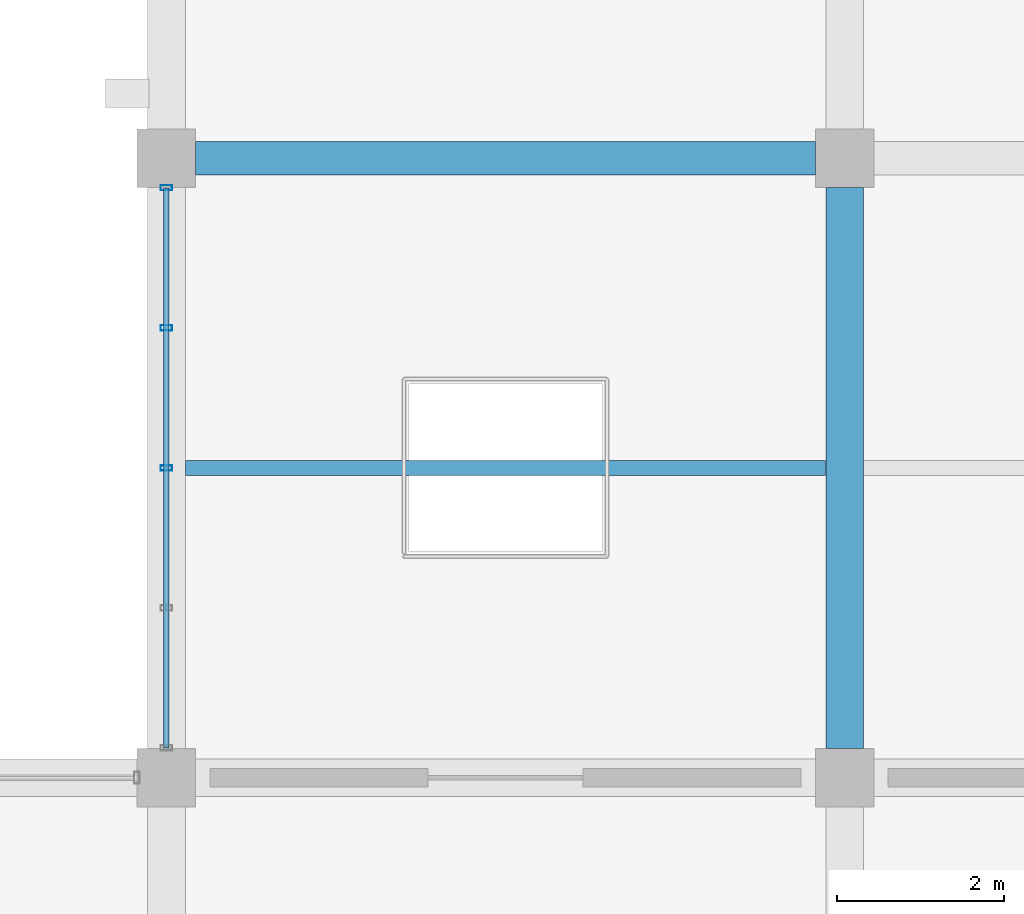
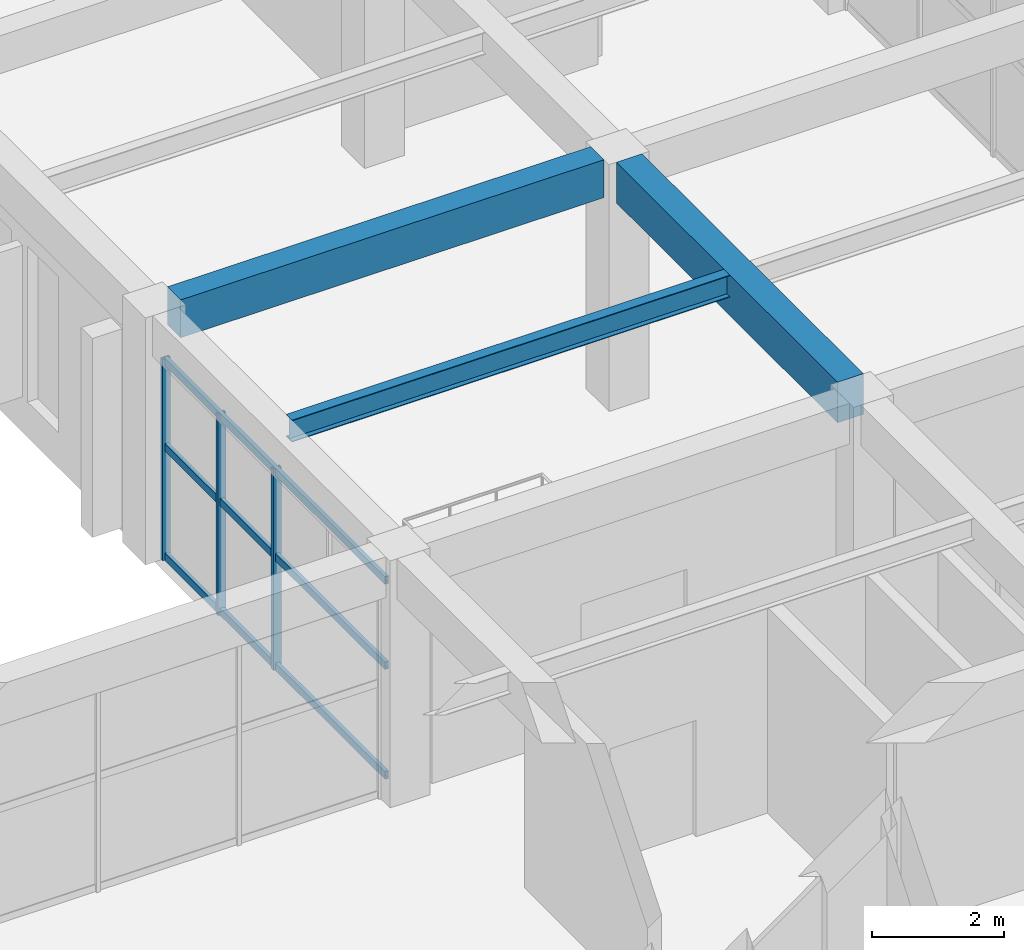
# One storey, part 20 of 161: 6 members, 3 beams, 1 element without a shape of its own.
"""IFC4 building model written with IfcOpenShell, lengths in metres."""

from ifc_helpers import new_model, si_unit, direction, frame, origin, origin_2d, place, context, subcontext, project, spatial, rectangle, hollow_rectangle, i_section, extrude, material, material_profile, profile_set, type_object, element, aggregate, save


model = new_model("IFC4")

# Units and contexts
model_context = context("Model", 3, precision=1e-05, world=origin(), true_north=direction((0.0, 1.0)))
body_context = subcontext(model_context, "Body", "Model", "MODEL_VIEW")
ifc_project = project(units=[si_unit("LENGTHUNIT", "METRE"), si_unit("AREAUNIT", "SQUARE_METRE"), si_unit("VOLUMEUNIT", "CUBIC_METRE"), si_unit("PLANEANGLEUNIT", "RADIAN"), si_unit("MASSUNIT", "GRAM", prefix="KILO")], contexts=[model_context])

# Site, building, storey
site_placement = place(None, origin())
site = spatial("IfcSite", under=ifc_project, at=site_placement, CompositionType="ELEMENT")
building_placement = place(site_placement, origin())
building = spatial("IfcBuilding", under=site, at=building_placement, Name="Cimatlan Art Gallery", CompositionType="ELEMENT")
storey_placement = place(building_placement, frame((0.0, 0.0, 5.39990234375)))
storey = spatial("IfcBuildingStorey", under=building, at=storey_placement, Name="L01", CompositionType="ELEMENT", Elevation=5.39990234375)

# Beams
ifc_material_1 = material(Name="Concrete C40/50", Category="concrete")
ifc_material_profile_1 = material_profile(ifc_material_1, rectangle(XDim=0.39990234375, YDim=0.699951171875, at=origin_2d()), Name="RC400X700")
ifc_profile_set_1 = profile_set([ifc_material_profile_1], Name="Concrete C40/50")
beam_type_1 = type_object("IfcBeamType", Name="BM-RC-400X700", PredefinedType="BEAM", material=ifc_profile_set_1)
beam_1_placement = place(storey_placement, frame((34.75, 46.10009765625, 4.210205078125), z_axis=(1.0, 0.0, 0.0), x_axis=(0.0, 1.0, 0.0)))
element("IfcBeam", 1, at=beam_1_placement, inside=storey, type_object=beam_type_1, Name="BM-X-L01-04-06", PredefinedType="BEAM", context=body_context, shape_type="SweptSolid", body=[
    extrude(rectangle(XDim=0.39990234375, YDim=0.699951171875, at=origin_2d()), origin(), (0.0, 0.0, 1.0), 7.39990234375),
])
ifc_material_profile_2 = material_profile(ifc_material_1, rectangle(XDim=0.449951171875, YDim=0.75, at=origin_2d()), Name="RC450X750")
ifc_profile_set_2 = profile_set([ifc_material_profile_2], Name="Concrete C40/50")
beam_type_2 = type_object("IfcBeamType", Name="BM-RC-450X750", PredefinedType="BEAM", material=ifc_profile_set_2)
beam_2_placement = place(storey_placement, frame((42.5, 39.050048828125, 4.18505859375), z_axis=(0.0, 1.0, 0.0), x_axis=(-1.0, 0.0, 0.0)))
element("IfcBeam", 2, at=beam_2_placement, inside=storey, type_object=beam_type_2, Name="BM-Y-L01-05-05", PredefinedType="BEAM", context=body_context, shape_type="SweptSolid", body=[
    extrude(rectangle(XDim=0.449951171875, YDim=0.75, at=origin_2d()), origin(), (0.0, 0.0, 1.0), 6.699951171875),
])
ifc_material_2 = material(Name="Steel ASTM A992 Grade 50", Category="steel")
ifc_material_profile_3 = material_profile(ifc_material_2, i_section(OverallWidth=0.177978515625, OverallDepth=0.406982421875, WebThickness=0.0078125, FlangeThickness=0.0126953125, at=origin_2d()), Name="W16X40")
ifc_profile_set_3 = profile_set([ifc_material_profile_3], Name="Steel ASTM A992 Grade 50")
beam_type_3 = type_object("IfcBeamType", Name="BM-STL-W16X40", PredefinedType="JOIST", material=ifc_profile_set_3)
beam_3_placement = place(storey_placement, frame((34.625, 42.39990234375, 4.356689453125), z_axis=(1.0, 0.0, 0.0), x_axis=(0.0, 1.0, 0.0)))
element("IfcBeam", 3, at=beam_3_placement, inside=storey, type_object=beam_type_3, Name="JST-L01-04-05", PredefinedType="JOIST", context=body_context, shape_type="SweptSolid", body=[
    extrude(i_section(OverallWidth=0.177978515625, OverallDepth=0.406982421875, WebThickness=0.0078125, FlangeThickness=0.0126953125, at=origin_2d()), origin(), (0.0, 0.0, 1.0), 7.64990234375),
])

# Curtain wall, members
ifc_material_3 = material(Name="Anodised bronze unitised curtain wall")
curtain_wall_type = type_object("IfcCurtainWallType", Name="CW-V-06692X03720-B4", PredefinedType="NOTDEFINED", material=ifc_material_3)
curtain_wall_placement = place(storey_placement, origin())
curtain_wall = element("IfcCurtainWall", 4, at=curtain_wall_placement, inside=storey, type_object=curtain_wall_type, Name="CW-L01-04-05-W", PredefinedType="NOTDEFINED")
ifc_material_4 = material(Name="Anodised bronze aluminium 6063-T6", Category="aluminium")
ifc_material_profile_4 = material_profile(ifc_material_4, hollow_rectangle(XDim=0.06494140625, YDim=0.139892578125, WallThickness=0.00390625, at=origin_2d()), Name="ALU65X140X4")
ifc_profile_set_4 = profile_set([ifc_material_profile_4], Name="Anodised bronze aluminium 6063-T6")
member_type_1 = type_object("IfcMemberType", Name="CW-MUL-140", PredefinedType="MULLION", material=ifc_profile_set_4)
member_1_placement = place(storey_placement, frame((34.39990234375, 42.39990234375, 0.0), z_axis=(0.0, 0.0, 1.0), x_axis=(0.0, 1.0, 0.0)))
member_1 = element("IfcMember", 5, at=member_1_placement, type_object=member_type_1, Name="CW-L01-04-05-W-M3", PredefinedType="MULLION", context=body_context, shape_type="SweptSolid", body=[
    extrude(hollow_rectangle(XDim=0.06494140625, YDim=0.139892578125, WallThickness=0.00390625, at=origin_2d()), origin(), (0.0, 0.0, 1.0), 3.72021484375),
])
member_2_placement = place(storey_placement, frame((34.39990234375, 44.072998046875, 0.0), z_axis=(0.0, 0.0, 1.0), x_axis=(0.0, 1.0, 0.0)))
member_2 = element("IfcMember", 6, at=member_2_placement, type_object=member_type_1, Name="CW-L01-04-05-W-M4", PredefinedType="MULLION", context=body_context, shape_type="SweptSolid", body=[
    extrude(hollow_rectangle(XDim=0.06494140625, YDim=0.139892578125, WallThickness=0.00390625, at=origin_2d()), origin(), (0.0, 0.0, 1.0), 3.72021484375),
])
member_3_placement = place(storey_placement, frame((34.39990234375, 45.74609375, 0.0), z_axis=(0.0, 0.0, 1.0), x_axis=(0.0, 1.0, 0.0)))
member_3 = element("IfcMember", 7, at=member_3_placement, type_object=member_type_1, Name="CW-L01-04-05-W-M5", PredefinedType="MULLION", context=body_context, shape_type="SweptSolid", body=[
    extrude(hollow_rectangle(XDim=0.06494140625, YDim=0.139892578125, WallThickness=0.00390625, at=origin_2d()), origin(), (0.0, 0.0, 1.0), 3.72021484375),
])
ifc_material_profile_5 = material_profile(ifc_material_4, hollow_rectangle(XDim=0.06494140625, YDim=0.139892578125, WallThickness=0.00390625, at=origin_2d()), Name="ALU65X140X4")
ifc_profile_set_5 = profile_set([ifc_material_profile_5], Name="Anodised bronze aluminium 6063-T6")
member_type_2 = type_object("IfcMemberType", Name="CW-TRN-140", PredefinedType="USERDEFINED", material=ifc_profile_set_5)
member_4_placement = place(storey_placement, frame((34.39990234375, 39.053955078125, 0.06005859375), z_axis=(0.0, 1.0, 0.0), x_axis=(-1.0, 0.0, 0.0)))
member_4 = element("IfcMember", 8, at=member_4_placement, type_object=member_type_2, Name="CW-L01-04-05-W-T1", ObjectType="TRANSOM", PredefinedType="USERDEFINED", context=body_context, shape_type="SweptSolid", body=[
    extrude(hollow_rectangle(XDim=0.06494140625, YDim=0.139892578125, WallThickness=0.00390625, at=origin_2d()), origin(), (0.0, 0.0, 1.0), 6.692138671875),
])
member_5_placement = place(storey_placement, frame((34.39990234375, 39.053955078125, 2.083251953125), z_axis=(0.0, 1.0, 0.0), x_axis=(-1.0, 0.0, 0.0)))
member_5 = element("IfcMember", 9, at=member_5_placement, type_object=member_type_2, Name="CW-L01-04-05-W-T2", ObjectType="TRANSOM", PredefinedType="USERDEFINED", context=body_context, shape_type="SweptSolid", body=[
    extrude(hollow_rectangle(XDim=0.06494140625, YDim=0.139892578125, WallThickness=0.00390625, at=origin_2d()), origin(), (0.0, 0.0, 1.0), 6.692138671875),
])
member_6_placement = place(storey_placement, frame((34.39990234375, 39.053955078125, 3.66015625), z_axis=(0.0, 1.0, 0.0), x_axis=(-1.0, 0.0, 0.0)))
member_6 = element("IfcMember", 10, at=member_6_placement, type_object=member_type_2, Name="CW-L01-04-05-W-T3", ObjectType="TRANSOM", PredefinedType="USERDEFINED", context=body_context, shape_type="SweptSolid", body=[
    extrude(hollow_rectangle(XDim=0.06494140625, YDim=0.139892578125, WallThickness=0.00390625, at=origin_2d()), origin(), (0.0, 0.0, 1.0), 6.692138671875),
])
aggregate(curtain_wall, [member_1, member_2, member_3, member_4, member_5, member_6])

save(model, "model.ifc")
